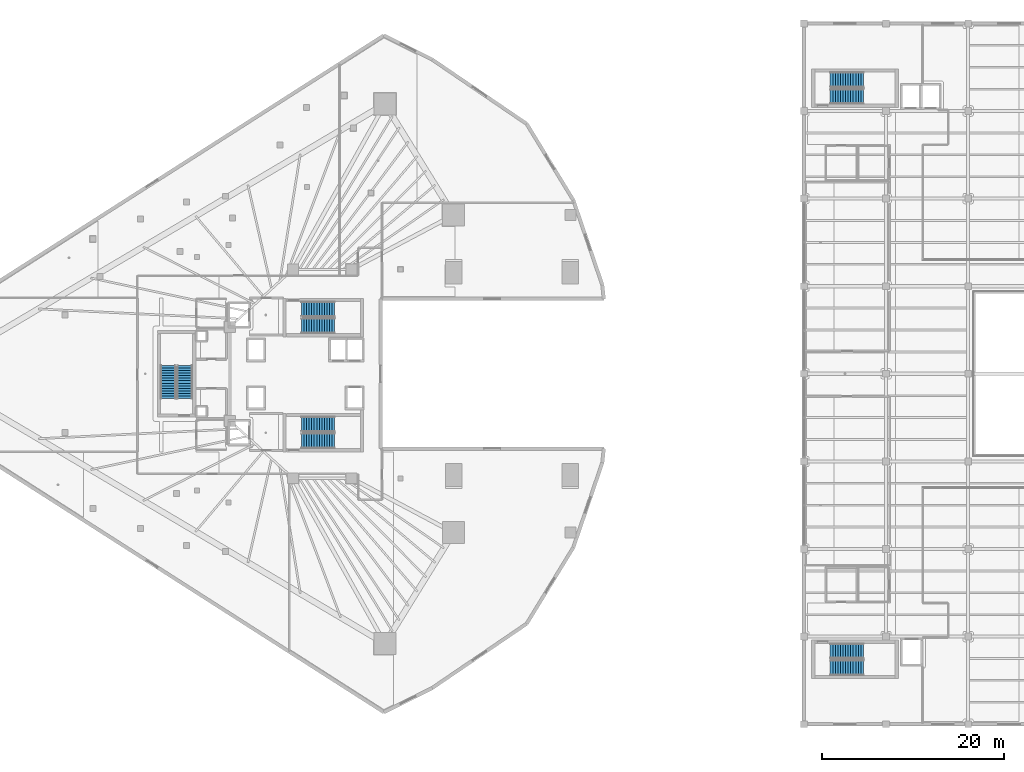
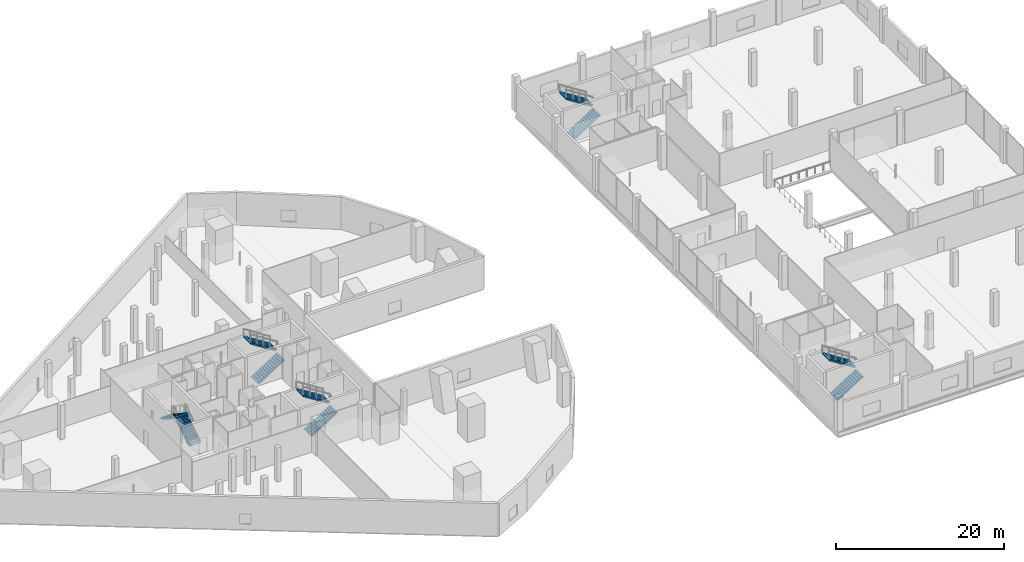
# One storey, part 35 of 47: 10 stair flights, 5 elements without a shape of their own.
"""IFC4 building model written with IfcOpenShell, lengths in metres."""

from ifc_helpers import new_model, si_unit, direction, frame, origin, place, context, subcontext, project, spatial, polyline, outline, extrude, material, layer, layer_set, type_object, element, aggregate, save


model = new_model("IFC4")

# Units and contexts
model_context = context("Model", 3, precision=1e-05, world=origin(), true_north=direction((0.0, 1.0)))
body_context = subcontext(model_context, "Body", "Model", "MODEL_VIEW")
ifc_project = project(units=[si_unit("LENGTHUNIT", "METRE"), si_unit("AREAUNIT", "SQUARE_METRE"), si_unit("VOLUMEUNIT", "CUBIC_METRE"), si_unit("PLANEANGLEUNIT", "RADIAN"), si_unit("MASSUNIT", "GRAM", prefix="KILO")], contexts=[model_context])

# Site, building, storey
site_placement = place(None, origin())
site = spatial("IfcSite", under=ifc_project, at=site_placement, CompositionType="ELEMENT")
building_placement = place(site_placement, origin())
building = spatial("IfcBuilding", under=site, at=building_placement, Name="Qorvath Tower", CompositionType="ELEMENT")
storey_placement = place(building_placement, frame((0.0, 0.0, 12.0)))
storey = spatial("IfcBuildingStorey", under=building, at=storey_placement, Name="L02", CompositionType="ELEMENT", Elevation=12.0)

# Stair, stair flights
ifc_material_1 = material(Name="Concrete C50/60", Category="concrete")
stair_type = type_object("IfcStairType", Name="ST-H500", PredefinedType="HALF_TURN_STAIR", material=ifc_material_1)
stair_1_placement = place(storey_placement, origin())
stair_1 = element("IfcStair", 1, at=stair_1_placement, inside=storey, type_object=stair_type, Name="L02 Library Exit Stair 1", PredefinedType="HALF_TURN_STAIR")
ifc_material_2 = material(Name="Concrete C50/60", Category="concrete")
ifc_layer = layer(ifc_material_2, 0.14990234375)
ifc_layer_set = layer_set([ifc_layer], Name="SF-H500")
stair_flight_type = type_object("IfcStairFlightType", Name="SF-H500", PredefinedType="STRAIGHT", material=ifc_layer_set)
stair_flight_1_placement = place(storey_placement, frame((35.280029296875, 30.389892578125, 0.0), z_axis=(0.0, 0.0, 1.0), x_axis=(1.0, 0.0, 0.0)))
stair_flight_1 = element("IfcStairFlight", 2, at=stair_flight_1_placement, type_object=stair_flight_type, Name="LS1 flight 1", NumberOfRisers=14, NumberOfTreads=13, PredefinedType="STRAIGHT", RiserHeight=0.178571429, TreadLength=0.28, context=body_context, shape_type="SweptSolid", body=[
    extrude(outline(polyline([(0.0, 0.0), (0.0, 0.178466796875), (0.280029296875, 0.178466796875), (0.280029296875, 0.357177734375), (0.56005859375, 0.357177734375), (0.56005859375, 0.53564453125), (0.840087890625, 0.53564453125), (0.840087890625, 0.71435546875), (1.1201171875, 0.71435546875), (1.1201171875, 0.892822265625), (1.39990234375, 0.892822265625), (1.39990234375, 1.071533203125), (1.679931640625, 1.071533203125), (1.679931640625, 1.25), (1.9599609375, 1.25), (1.9599609375, 1.428466796875), (2.239990234375, 1.428466796875), (2.239990234375, 1.607177734375), (2.52001953125, 1.607177734375), (2.52001953125, 1.78564453125), (2.800048828125, 1.78564453125), (2.800048828125, 1.96435546875), (3.080078125, 1.96435546875), (3.080078125, 2.142822265625), (3.360107421875, 2.142822265625), (3.360107421875, 2.321533203125), (3.639892578125, 2.321533203125), (3.639892578125, 2.5), (3.639892578125, 2.1435546875), (0.27880859375, 0.0), (0.0, 0.0)])), frame((0.0, 0.83984375, 0.0), z_axis=(0.0, -1.0, 0.0), x_axis=(1.0, 0.0, 0.0)), (0.0, 0.0, 1.0), 1.679931640625),
])
stair_flight_2_placement = place(storey_placement, frame((38.919921875, 32.219970703125, 2.5), z_axis=(0.0, 0.0, 1.0), x_axis=(-1.0, 0.0, 0.0)))
stair_flight_2 = element("IfcStairFlight", 3, at=stair_flight_2_placement, type_object=stair_flight_type, Name="LS1 flight 2", NumberOfRisers=14, NumberOfTreads=13, PredefinedType="STRAIGHT", RiserHeight=0.178571429, TreadLength=0.28, context=body_context, shape_type="SweptSolid", body=[
    extrude(outline(polyline([(0.0, 0.0), (0.0, 0.178466796875), (0.280029296875, 0.178466796875), (0.280029296875, 0.357177734375), (0.56005859375, 0.357177734375), (0.56005859375, 0.53564453125), (0.840087890625, 0.53564453125), (0.840087890625, 0.71435546875), (1.1201171875, 0.71435546875), (1.1201171875, 0.892822265625), (1.39990234375, 0.892822265625), (1.39990234375, 1.071533203125), (1.679931640625, 1.071533203125), (1.679931640625, 1.25), (1.9599609375, 1.25), (1.9599609375, 1.428466796875), (2.239990234375, 1.428466796875), (2.239990234375, 1.607177734375), (2.52001953125, 1.607177734375), (2.52001953125, 1.78564453125), (2.800048828125, 1.78564453125), (2.800048828125, 1.96435546875), (3.080078125, 1.96435546875), (3.080078125, 2.142822265625), (3.360107421875, 2.142822265625), (3.360107421875, 2.321533203125), (3.639892578125, 2.321533203125), (3.639892578125, 2.5), (3.639892578125, 2.1435546875), (0.27880859375, 0.0), (0.0, 0.0)])), frame((0.0, 0.83984375, 0.0), z_axis=(0.0, -1.0, 0.0), x_axis=(1.0, 0.0, 0.0)), (0.0, 0.0, 1.0), 1.679931640625),
])
aggregate(stair_1, [stair_flight_1, stair_flight_2])

stair_2_placement = place(storey_placement, origin())
stair_2 = element("IfcStair", 4, at=stair_2_placement, inside=storey, type_object=stair_type, Name="L02 Library Exit Stair 2", PredefinedType="HALF_TURN_STAIR")
stair_flight_3_placement = place(storey_placement, frame((35.280029296875, -32.2099609375, 0.0), z_axis=(0.0, 0.0, 1.0), x_axis=(1.0, 0.0, 0.0)))
stair_flight_3 = element("IfcStairFlight", 5, at=stair_flight_3_placement, type_object=stair_flight_type, Name="LS2 flight 1", NumberOfRisers=14, NumberOfTreads=13, PredefinedType="STRAIGHT", RiserHeight=0.178571429, TreadLength=0.28, context=body_context, shape_type="SweptSolid", body=[
    extrude(outline(polyline([(0.0, 0.0), (0.0, 0.178466796875), (0.280029296875, 0.178466796875), (0.280029296875, 0.357177734375), (0.56005859375, 0.357177734375), (0.56005859375, 0.53564453125), (0.840087890625, 0.53564453125), (0.840087890625, 0.71435546875), (1.1201171875, 0.71435546875), (1.1201171875, 0.892822265625), (1.39990234375, 0.892822265625), (1.39990234375, 1.071533203125), (1.679931640625, 1.071533203125), (1.679931640625, 1.25), (1.9599609375, 1.25), (1.9599609375, 1.428466796875), (2.239990234375, 1.428466796875), (2.239990234375, 1.607177734375), (2.52001953125, 1.607177734375), (2.52001953125, 1.78564453125), (2.800048828125, 1.78564453125), (2.800048828125, 1.96435546875), (3.080078125, 1.96435546875), (3.080078125, 2.142822265625), (3.360107421875, 2.142822265625), (3.360107421875, 2.321533203125), (3.639892578125, 2.321533203125), (3.639892578125, 2.5), (3.639892578125, 2.1435546875), (0.27880859375, 0.0), (0.0, 0.0)])), frame((0.0, 0.83984375, 0.0), z_axis=(0.0, -1.0, 0.0), x_axis=(1.0, 0.0, 0.0)), (0.0, 0.0, 1.0), 1.679931640625),
])
stair_flight_4_placement = place(storey_placement, frame((38.919921875, -30.3798828125, 2.5), z_axis=(0.0, 0.0, 1.0), x_axis=(-1.0, 0.0, 0.0)))
stair_flight_4 = element("IfcStairFlight", 6, at=stair_flight_4_placement, type_object=stair_flight_type, Name="LS2 flight 2", NumberOfRisers=14, NumberOfTreads=13, PredefinedType="STRAIGHT", RiserHeight=0.178571429, TreadLength=0.28, context=body_context, shape_type="SweptSolid", body=[
    extrude(outline(polyline([(0.0, 0.0), (0.0, 0.178466796875), (0.280029296875, 0.178466796875), (0.280029296875, 0.357177734375), (0.56005859375, 0.357177734375), (0.56005859375, 0.53564453125), (0.840087890625, 0.53564453125), (0.840087890625, 0.71435546875), (1.1201171875, 0.71435546875), (1.1201171875, 0.892822265625), (1.39990234375, 0.892822265625), (1.39990234375, 1.071533203125), (1.679931640625, 1.071533203125), (1.679931640625, 1.25), (1.9599609375, 1.25), (1.9599609375, 1.428466796875), (2.239990234375, 1.428466796875), (2.239990234375, 1.607177734375), (2.52001953125, 1.607177734375), (2.52001953125, 1.78564453125), (2.800048828125, 1.78564453125), (2.800048828125, 1.96435546875), (3.080078125, 1.96435546875), (3.080078125, 2.142822265625), (3.360107421875, 2.142822265625), (3.360107421875, 2.321533203125), (3.639892578125, 2.321533203125), (3.639892578125, 2.5), (3.639892578125, 2.1435546875), (0.27880859375, 0.0), (0.0, 0.0)])), frame((0.0, 0.83984375, 0.0), z_axis=(0.0, -1.0, 0.0), x_axis=(1.0, 0.0, 0.0)), (0.0, 0.0, 1.0), 1.679931640625),
])
aggregate(stair_2, [stair_flight_3, stair_flight_4])

stair_3_placement = place(storey_placement, origin())
stair_3 = element("IfcStair", 7, at=stair_3_placement, inside=storey, type_object=stair_type, Name="L02 Tower Exit Stair 1", PredefinedType="HALF_TURN_STAIR")
stair_flight_5_placement = place(storey_placement, frame((-22.669921875, 5.239990234375, 0.0), z_axis=(0.0, 0.0, 1.0), x_axis=(1.0, 0.0, 0.0)))
stair_flight_5 = element("IfcStairFlight", 8, at=stair_flight_5_placement, type_object=stair_flight_type, Name="TS1 flight 1", NumberOfRisers=14, NumberOfTreads=13, PredefinedType="STRAIGHT", RiserHeight=0.178571429, TreadLength=0.28, context=body_context, shape_type="SweptSolid", body=[
    extrude(outline(polyline([(0.0, 0.0), (0.0, 0.178466796875), (0.280029296875, 0.178466796875), (0.280029296875, 0.357177734375), (0.56005859375, 0.357177734375), (0.56005859375, 0.53564453125), (0.840087890625, 0.53564453125), (0.840087890625, 0.71435546875), (1.1201171875, 0.71435546875), (1.1201171875, 0.892822265625), (1.39990234375, 0.892822265625), (1.39990234375, 1.071533203125), (1.679931640625, 1.071533203125), (1.679931640625, 1.25), (1.9599609375, 1.25), (1.9599609375, 1.428466796875), (2.239990234375, 1.428466796875), (2.239990234375, 1.607177734375), (2.52001953125, 1.607177734375), (2.52001953125, 1.78564453125), (2.800048828125, 1.78564453125), (2.800048828125, 1.96435546875), (3.080078125, 1.96435546875), (3.080078125, 2.142822265625), (3.360107421875, 2.142822265625), (3.360107421875, 2.321533203125), (3.639892578125, 2.321533203125), (3.639892578125, 2.5), (3.639892578125, 2.1435546875), (0.27880859375, 0.0), (0.0, 0.0)])), frame((0.0, 0.83984375, 0.0), z_axis=(0.0, -1.0, 0.0), x_axis=(1.0, 0.0, 0.0)), (0.0, 0.0, 1.0), 1.679931640625),
])
stair_flight_6_placement = place(storey_placement, frame((-19.030029296875, 7.070068359375, 2.5), z_axis=(0.0, 0.0, 1.0), x_axis=(-1.0, 0.0, 0.0)))
stair_flight_6 = element("IfcStairFlight", 9, at=stair_flight_6_placement, type_object=stair_flight_type, Name="TS1 flight 2", NumberOfRisers=14, NumberOfTreads=13, PredefinedType="STRAIGHT", RiserHeight=0.178571429, TreadLength=0.28, context=body_context, shape_type="SweptSolid", body=[
    extrude(outline(polyline([(0.0, 0.0), (0.0, 0.178466796875), (0.280029296875, 0.178466796875), (0.280029296875, 0.357177734375), (0.56005859375, 0.357177734375), (0.56005859375, 0.53564453125), (0.840087890625, 0.53564453125), (0.840087890625, 0.71435546875), (1.1201171875, 0.71435546875), (1.1201171875, 0.892822265625), (1.39990234375, 0.892822265625), (1.39990234375, 1.071533203125), (1.679931640625, 1.071533203125), (1.679931640625, 1.25), (1.9599609375, 1.25), (1.9599609375, 1.428466796875), (2.239990234375, 1.428466796875), (2.239990234375, 1.607177734375), (2.52001953125, 1.607177734375), (2.52001953125, 1.78564453125), (2.800048828125, 1.78564453125), (2.800048828125, 1.96435546875), (3.080078125, 1.96435546875), (3.080078125, 2.142822265625), (3.360107421875, 2.142822265625), (3.360107421875, 2.321533203125), (3.639892578125, 2.321533203125), (3.639892578125, 2.5), (3.639892578125, 2.1435546875), (0.27880859375, 0.0), (0.0, 0.0)])), frame((0.0, 0.83984375, 0.0), z_axis=(0.0, -1.0, 0.0), x_axis=(1.0, 0.0, 0.0)), (0.0, 0.0, 1.0), 1.679931640625),
])
aggregate(stair_3, [stair_flight_5, stair_flight_6])

stair_4_placement = place(storey_placement, origin())
stair_4 = element("IfcStair", 10, at=stair_4_placement, inside=storey, type_object=stair_type, Name="L02 Tower Exit Stair 2", PredefinedType="HALF_TURN_STAIR")
stair_flight_7_placement = place(storey_placement, frame((-22.669921875, -7.360107421875, 0.0), z_axis=(0.0, 0.0, 1.0), x_axis=(1.0, 0.0, 0.0)))
stair_flight_7 = element("IfcStairFlight", 11, at=stair_flight_7_placement, type_object=stair_flight_type, Name="TS2 flight 1", NumberOfRisers=14, NumberOfTreads=13, PredefinedType="STRAIGHT", RiserHeight=0.178571429, TreadLength=0.28, context=body_context, shape_type="SweptSolid", body=[
    extrude(outline(polyline([(0.0, 0.0), (0.0, 0.178466796875), (0.280029296875, 0.178466796875), (0.280029296875, 0.357177734375), (0.56005859375, 0.357177734375), (0.56005859375, 0.53564453125), (0.840087890625, 0.53564453125), (0.840087890625, 0.71435546875), (1.1201171875, 0.71435546875), (1.1201171875, 0.892822265625), (1.39990234375, 0.892822265625), (1.39990234375, 1.071533203125), (1.679931640625, 1.071533203125), (1.679931640625, 1.25), (1.9599609375, 1.25), (1.9599609375, 1.428466796875), (2.239990234375, 1.428466796875), (2.239990234375, 1.607177734375), (2.52001953125, 1.607177734375), (2.52001953125, 1.78564453125), (2.800048828125, 1.78564453125), (2.800048828125, 1.96435546875), (3.080078125, 1.96435546875), (3.080078125, 2.142822265625), (3.360107421875, 2.142822265625), (3.360107421875, 2.321533203125), (3.639892578125, 2.321533203125), (3.639892578125, 2.5), (3.639892578125, 2.1435546875), (0.27880859375, 0.0), (0.0, 0.0)])), frame((0.0, 0.83984375, 0.0), z_axis=(0.0, -1.0, 0.0), x_axis=(1.0, 0.0, 0.0)), (0.0, 0.0, 1.0), 1.679931640625),
])
stair_flight_8_placement = place(storey_placement, frame((-19.030029296875, -5.530029296875, 2.5), z_axis=(0.0, 0.0, 1.0), x_axis=(-1.0, 0.0, 0.0)))
stair_flight_8 = element("IfcStairFlight", 12, at=stair_flight_8_placement, type_object=stair_flight_type, Name="TS2 flight 2", NumberOfRisers=14, NumberOfTreads=13, PredefinedType="STRAIGHT", RiserHeight=0.178571429, TreadLength=0.28, context=body_context, shape_type="SweptSolid", body=[
    extrude(outline(polyline([(0.0, 0.0), (0.0, 0.178466796875), (0.280029296875, 0.178466796875), (0.280029296875, 0.357177734375), (0.56005859375, 0.357177734375), (0.56005859375, 0.53564453125), (0.840087890625, 0.53564453125), (0.840087890625, 0.71435546875), (1.1201171875, 0.71435546875), (1.1201171875, 0.892822265625), (1.39990234375, 0.892822265625), (1.39990234375, 1.071533203125), (1.679931640625, 1.071533203125), (1.679931640625, 1.25), (1.9599609375, 1.25), (1.9599609375, 1.428466796875), (2.239990234375, 1.428466796875), (2.239990234375, 1.607177734375), (2.52001953125, 1.607177734375), (2.52001953125, 1.78564453125), (2.800048828125, 1.78564453125), (2.800048828125, 1.96435546875), (3.080078125, 1.96435546875), (3.080078125, 2.142822265625), (3.360107421875, 2.142822265625), (3.360107421875, 2.321533203125), (3.639892578125, 2.321533203125), (3.639892578125, 2.5), (3.639892578125, 2.1435546875), (0.27880859375, 0.0), (0.0, 0.0)])), frame((0.0, 0.83984375, 0.0), z_axis=(0.0, -1.0, 0.0), x_axis=(1.0, 0.0, 0.0)), (0.0, 0.0, 1.0), 1.679931640625),
])
aggregate(stair_4, [stair_flight_7, stair_flight_8])

stair_5_placement = place(storey_placement, origin())
stair_5 = element("IfcStair", 13, at=stair_5_placement, inside=storey, type_object=stair_type, Name="L02 Tower Exit Stair 3", PredefinedType="HALF_TURN_STAIR")
stair_flight_9_placement = place(storey_placement, frame((-35.43994140625, -2.719970703125, 0.0), z_axis=(0.0, 0.0, 1.0), x_axis=(0.0, 1.0, 0.0)))
stair_flight_9 = element("IfcStairFlight", 14, at=stair_flight_9_placement, type_object=stair_flight_type, Name="TS3 flight 1", NumberOfRisers=14, NumberOfTreads=13, PredefinedType="STRAIGHT", RiserHeight=0.178571429, TreadLength=0.28, context=body_context, shape_type="SweptSolid", body=[
    extrude(outline(polyline([(0.0, 0.0), (0.0, 0.178466796875), (0.280029296875, 0.178466796875), (0.280029296875, 0.357177734375), (0.56005859375, 0.357177734375), (0.56005859375, 0.53564453125), (0.840087890625, 0.53564453125), (0.840087890625, 0.71435546875), (1.1201171875, 0.71435546875), (1.1201171875, 0.892822265625), (1.39990234375, 0.892822265625), (1.39990234375, 1.071533203125), (1.679931640625, 1.071533203125), (1.679931640625, 1.25), (1.9599609375, 1.25), (1.9599609375, 1.428466796875), (2.239990234375, 1.428466796875), (2.239990234375, 1.607177734375), (2.52001953125, 1.607177734375), (2.52001953125, 1.78564453125), (2.800048828125, 1.78564453125), (2.800048828125, 1.96435546875), (3.080078125, 1.96435546875), (3.080078125, 2.142822265625), (3.360107421875, 2.142822265625), (3.360107421875, 2.321533203125), (3.639892578125, 2.321533203125), (3.639892578125, 2.5), (3.639892578125, 2.1435546875), (0.27880859375, 0.0), (0.0, 0.0)])), frame((0.0, 0.83984375, 0.0), z_axis=(0.0, -1.0, 0.0), x_axis=(1.0, 0.0, 0.0)), (0.0, 0.0, 1.0), 1.679931640625),
])
stair_flight_10_placement = place(storey_placement, frame((-37.27001953125, 0.919921875, 2.5), z_axis=(0.0, 0.0, 1.0), x_axis=(0.0, -1.0, 0.0)))
stair_flight_10 = element("IfcStairFlight", 15, at=stair_flight_10_placement, type_object=stair_flight_type, Name="TS3 flight 2", NumberOfRisers=14, NumberOfTreads=13, PredefinedType="STRAIGHT", RiserHeight=0.178571429, TreadLength=0.28, context=body_context, shape_type="SweptSolid", body=[
    extrude(outline(polyline([(0.0, 0.0), (0.0, 0.178466796875), (0.280029296875, 0.178466796875), (0.280029296875, 0.357177734375), (0.56005859375, 0.357177734375), (0.56005859375, 0.53564453125), (0.840087890625, 0.53564453125), (0.840087890625, 0.71435546875), (1.1201171875, 0.71435546875), (1.1201171875, 0.892822265625), (1.39990234375, 0.892822265625), (1.39990234375, 1.071533203125), (1.679931640625, 1.071533203125), (1.679931640625, 1.25), (1.9599609375, 1.25), (1.9599609375, 1.428466796875), (2.239990234375, 1.428466796875), (2.239990234375, 1.607177734375), (2.52001953125, 1.607177734375), (2.52001953125, 1.78564453125), (2.800048828125, 1.78564453125), (2.800048828125, 1.96435546875), (3.080078125, 1.96435546875), (3.080078125, 2.142822265625), (3.360107421875, 2.142822265625), (3.360107421875, 2.321533203125), (3.639892578125, 2.321533203125), (3.639892578125, 2.5), (3.639892578125, 2.1435546875), (0.27880859375, 0.0), (0.0, 0.0)])), frame((0.0, 0.83984375, 0.0), z_axis=(0.0, -1.0, 0.0), x_axis=(1.0, 0.0, 0.0)), (0.0, 0.0, 1.0), 1.679931640625),
])
aggregate(stair_5, [stair_flight_9, stair_flight_10])

save(model, "model.ifc")
